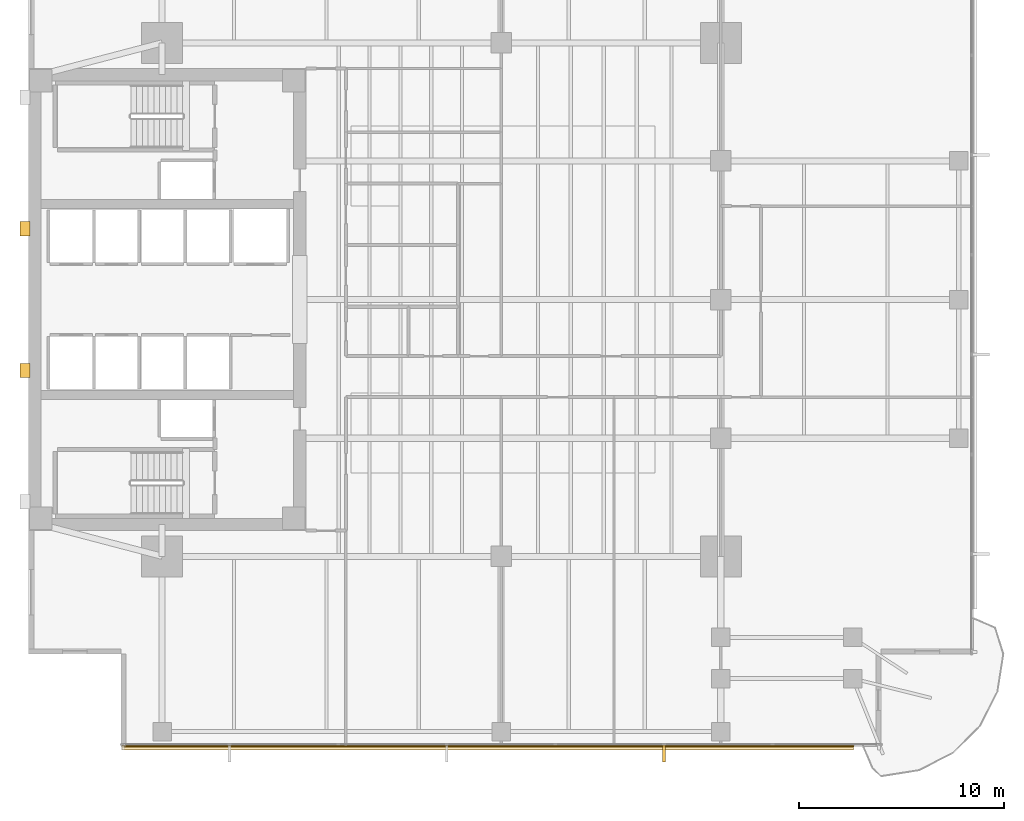
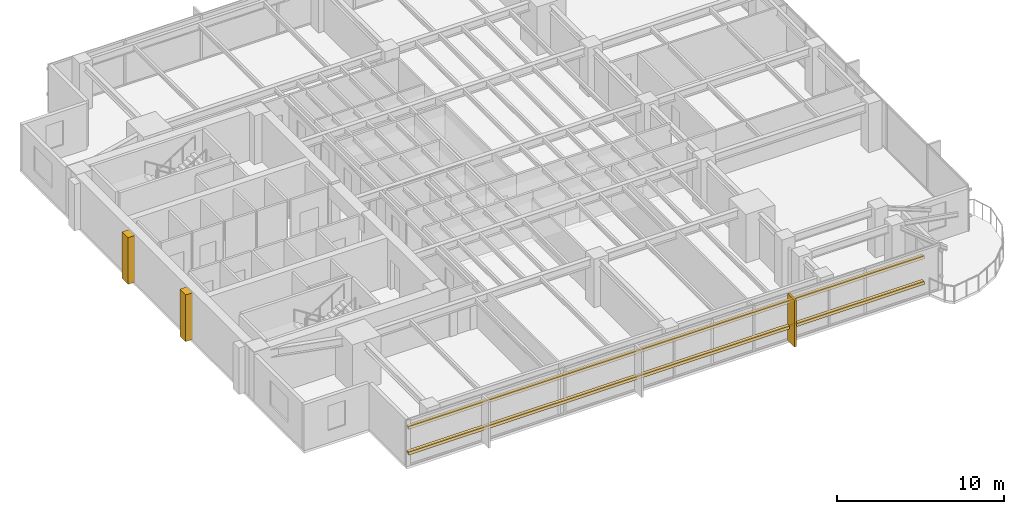
# One storey, part 12 of 15: 5 coverings, 2 shading devices.
"""IFC4 building model written with IfcOpenShell, lengths in metres."""

from ifc_helpers import new_model, si_unit, direction, frame, origin, origin_2d, place, context, subcontext, project, spatial, polyline, rectangle, outline, extrude, material, layer, layer_set, material_profile, profile_set, type_object, element, save


model = new_model("IFC4")

# Units and contexts
model_context = context("Model", 3, precision=1e-05, world=origin(), true_north=direction((0.0, 1.0)))
body_context = subcontext(model_context, "Body", "Model", "MODEL_VIEW")
ifc_project = project(units=[si_unit("LENGTHUNIT", "METRE"), si_unit("AREAUNIT", "SQUARE_METRE"), si_unit("VOLUMEUNIT", "CUBIC_METRE"), si_unit("PLANEANGLEUNIT", "RADIAN"), si_unit("MASSUNIT", "GRAM", prefix="KILO")], contexts=[model_context])

# Site, building, storey
site_placement = place(None, origin())
site = spatial("IfcSite", under=ifc_project, at=site_placement, CompositionType="ELEMENT")
building_placement = place(site_placement, origin())
building = spatial("IfcBuilding", under=site, at=building_placement, Name="Kinhvarn Gate Tower", CompositionType="ELEMENT")
storey_placement = place(building_placement, frame((0.0, 0.0, 105.800048828125)))
storey = spatial("IfcBuildingStorey", under=building, at=storey_placement, Name="L27", CompositionType="ELEMENT", Elevation=105.800048828125)

# Coverings
ifc_material_1 = material(Name="Fired architectural terracotta", Category="masonry")
ifc_layer_1 = layer(ifc_material_1, 0.239990234375)
ifc_layer_set_1 = layer_set([ifc_layer_1], Name="Fired architectural terracotta")
covering_type_1 = type_object("IfcCoveringType", Name="COV-BAG-220", PredefinedType="CLADDING", material=ifc_layer_set_1)
for number, where, name in (
    (1, (0.0, 0.0, 0.93994140625), "Terracotta Horizontal Sunscreen Band TBG-220 (L27)"),
    (2, (0.0, 0.0, 2.81005859375), "Terracotta Horizontal Sunscreen Band TBG-220 (L27)"),
):
    element("IfcCovering", number, at=place(storey_placement, frame(where)), inside=storey, type_object=covering_type_1, Name=name, PredefinedType="CLADDING", context=body_context, shape_type="SweptSolid", body=[
        extrude(outline(polyline([(9.0400390625, 3.570068359375), (44.669921875, 3.570068359375), (44.669921875, 3.330078125), (9.0400390625, 3.330078125), (9.0400390625, 3.570068359375)])), origin(), (0.0, 0.0, 1.0), 0.219970703125),
    ])
ifc_layer_2 = layer(ifc_material_1, 0.139892578125)
ifc_layer_set_2 = layer_set([ifc_layer_2], Name="Fired architectural terracotta")
covering_type_2 = type_object("IfcCoveringType", Name="COV-FIN-850", PredefinedType="CLADDING", material=ifc_layer_set_2)
covering_1_placement = place(storey_placement, frame((0.0, 0.0, -0.02001953125)))
element("IfcCovering", 3, at=covering_1_placement, inside=storey, type_object=covering_type_2, Name="Vertical Terracotta Expressive Fin TFN-850 (L27)", PredefinedType="CLADDING", context=body_context, shape_type="SweptSolid", body=[
    extrude(outline(polyline([(35.358642578125, 3.580078125), (35.49853515625, 3.580078125), (35.49853515625, 2.72998046875), (35.358642578125, 2.72998046875), (35.358642578125, 3.580078125)])), origin(), (0.0, 0.0, 1.0), 3.409912109375),
])
ifc_material_2 = material(Name="Precast white architectural concrete C40/50", Category="concrete")
ifc_layer_3 = layer(ifc_material_2, 0.47998046875)
ifc_layer_set_3 = layer_set([ifc_layer_3], Name="Precast white architectural concrete C40/50")
covering_type_3 = type_object("IfcCoveringType", Name="COV-RIB-450", PredefinedType="CLADDING", material=ifc_layer_set_3)
covering_2_placement = place(storey_placement, frame((0.0, 0.0, -0.02001953125)))
element("IfcCovering", 4, at=covering_2_placement, inside=storey, type_object=covering_type_3, Name="West Core Sculptural Concrete Relief Rib CRB-450 (L27)", PredefinedType="CLADDING", context=body_context, shape_type="SweptSolid", body=[
    extrude(outline(polyline([(4.080078125, 21.449951171875), (4.56005859375, 21.449951171875), (4.56005859375, 22.14990234375), (4.080078125, 22.14990234375), (4.080078125, 21.449951171875)])), origin(), (0.0, 0.0, 1.0), 3.409912109375),
])
covering_3_placement = place(storey_placement, frame((0.0, 0.0, -0.02001953125)))
element("IfcCovering", 5, at=covering_3_placement, inside=storey, type_object=covering_type_3, Name="West Core Sculptural Concrete Relief Rib CRB-450 (L27)", PredefinedType="CLADDING", context=body_context, shape_type="SweptSolid", body=[
    extrude(outline(polyline([(4.080078125, 28.35009765625), (4.56005859375, 28.35009765625), (4.56005859375, 29.050048828125), (4.080078125, 29.050048828125), (4.080078125, 28.35009765625)])), origin(), (0.0, 0.0, 1.0), 3.409912109375),
])

# Shading devices
ifc_material_profile = material_profile(ifc_material_1, rectangle(XDim=0.050048828125, YDim=0.1201171875, at=origin_2d()), Name="TC 50x120")
ifc_profile_set = profile_set([ifc_material_profile], Name="Fired architectural terracotta")
shading_device_type = type_object("IfcShadingDeviceType", Name="SHD-BAG-140", PredefinedType="USERDEFINED", material=ifc_profile_set)
for number, where, z_axis, x_axis, name in (
    (6, (9.0400390625, 3.5, 1.050048828125), (1.0, 0.0, 0.0), (0.0, 1.0, 0.0), "Upper Tower Terracotta Baguette Screen Rod 50x120 mm (L27)"),
    (7, (9.0400390625, 3.5, 2.919921875), (1.0, 0.0, 0.0), (0.0, 1.0, 0.0), "Upper Tower Terracotta Baguette Screen Rod 50x120 mm (L27)"),
):
    element("IfcShadingDevice", number, at=place(storey_placement, frame(where, z_axis=z_axis, x_axis=x_axis)), inside=storey, type_object=shading_device_type, Name=name, ObjectType="BAGUETTE", PredefinedType="USERDEFINED", context=body_context, shape_type="SweptSolid", body=[
        extrude(rectangle(XDim=0.050048828125, YDim=0.1201171875, at=origin_2d()), origin(), (0.0, 0.0, 1.0), 35.6298828125),
    ])

save(model, "model.ifc")
